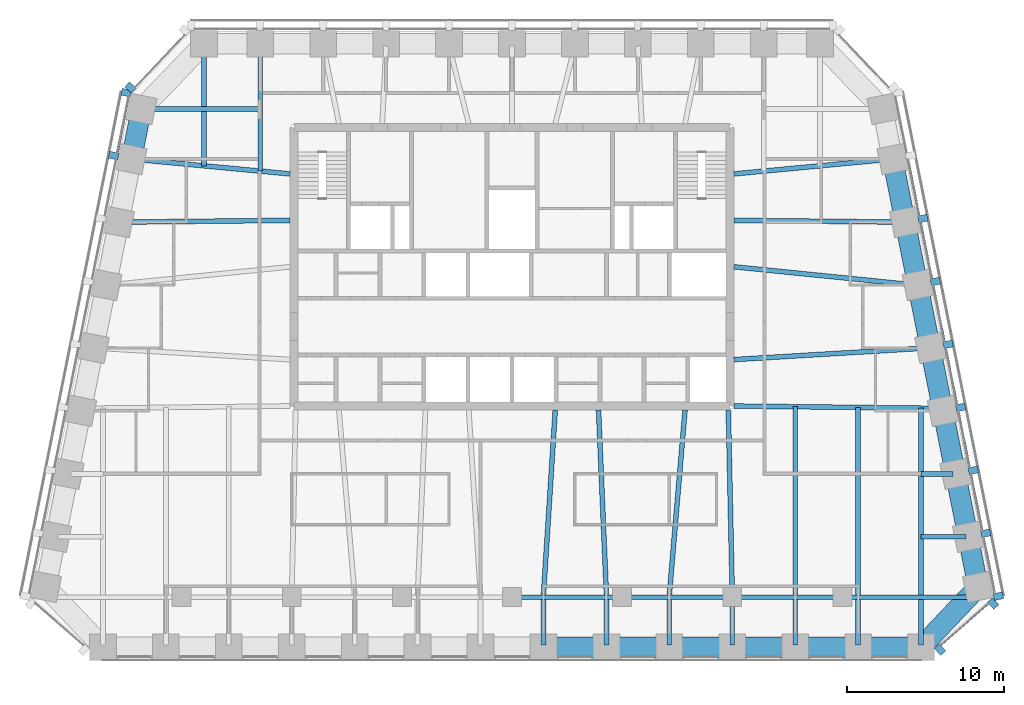
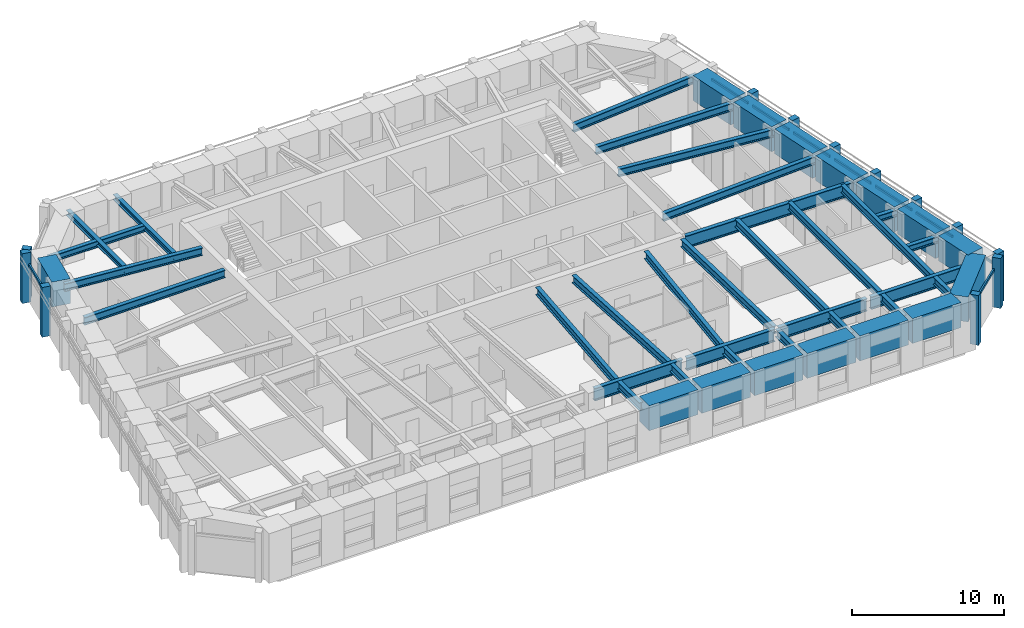
# One storey, part 2 of 11: 45 beams, 21 members, 4 elements without a shape of their own.
"""IFC4 building model written with IfcOpenShell, lengths in metres."""

from ifc_helpers import new_model, si_unit, direction, frame, origin, origin_2d, place, context, subcontext, project, spatial, rectangle, i_section, extrude, material, material_profile, profile_set, type_object, element, aggregate, save


model = new_model("IFC4")

# Units and contexts
model_context = context("Model", 3, precision=1e-05, world=origin(), true_north=direction((0.0, 1.0)))
body_context = subcontext(model_context, "Body", "Model", "MODEL_VIEW")
ifc_project = project(units=[si_unit("LENGTHUNIT", "METRE"), si_unit("AREAUNIT", "SQUARE_METRE"), si_unit("VOLUMEUNIT", "CUBIC_METRE"), si_unit("PLANEANGLEUNIT", "RADIAN"), si_unit("MASSUNIT", "GRAM", prefix="KILO")], contexts=[model_context])

# Site, building, storey
site_placement = place(None, origin())
site = spatial("IfcSite", under=ifc_project, at=site_placement, CompositionType="ELEMENT")
building_placement = place(site_placement, origin())
building = spatial("IfcBuilding", under=site, at=building_placement, Name="Isbrekke Arena Tower", CompositionType="ELEMENT")
storey_placement = place(building_placement, frame((0.0, 0.0, 276.0)))
storey = spatial("IfcBuildingStorey", under=building, at=storey_placement, Name="L64", CompositionType="ELEMENT", Elevation=276.0)

# Beams
ifc_material_1 = material(Name="Steel S355", Category="steel")
ifc_material_profile_1 = material_profile(ifc_material_1, i_section(OverallWidth=0.304931640625, OverallDepth=0.6201171875, WebThickness=0.02099609375, FlangeThickness=0.0400390625, FilletRadius=0.027099609375, at=origin_2d()), Name="HEM 600")
ifc_profile_set_1 = profile_set([ifc_material_profile_1], Name="Steel S355")
beam_type_1 = type_object("IfcBeamType", Name="B4 HEM 600", PredefinedType="BEAM", material=ifc_profile_set_1)
for number, where, z_axis, x_axis, name in (
    (1, (2.0, -9.02490234375, 3.5400390625), (0.0, 1.0, 0.0), (-1.0, 0.0, 0.0), "B4 beam S-S08 L64"),
    (2, (6.0, -9.02490234375, 3.5400390625), (0.0, 1.0, 0.0), (-1.0, 0.0, 0.0), "B4 beam S-S09 L64"),
    (3, (10.0, -9.02490234375, 3.5400390625), (0.0, 1.0, 0.0), (-1.0, 0.0, 0.0), "B4 beam S-S10 L64"),
):
    element("IfcBeam", number, at=place(storey_placement, frame(where, z_axis=z_axis, x_axis=x_axis)), inside=storey, type_object=beam_type_1, Name=name, PredefinedType="BEAM", context=body_context, shape_type="SweptSolid", body=[
        extrude(i_section(OverallWidth=0.304931640625, OverallDepth=0.6201171875, WebThickness=0.02099609375, FlangeThickness=0.0400390625, FilletRadius=0.027099609375, at=origin_2d()), origin(), (0.0, 0.0, 1.0), 2.8740234375),
    ])
beam_1_placement = place(storey_placement, frame((14.0, -9.02490234375, 3.5400390625), z_axis=(0.0, 1.0, 0.0), x_axis=(-1.0, 0.0, 0.0)))
element("IfcBeam", 4, at=beam_1_placement, inside=storey, type_object=beam_type_1, Name="B4 beam S-S11 L64", PredefinedType="BEAM", context=body_context, shape_type="SweptSolid", body=[
    extrude(i_section(OverallWidth=0.304931640625, OverallDepth=0.6201171875, WebThickness=0.02099609375, FlangeThickness=0.0400390625, FilletRadius=0.027099609375, at=origin_2d()), origin(), (0.0, 0.0, 1.0), 2.875),
])
for number, where, z_axis, x_axis, name in (
    (5, (18.0, -9.02490234375, 3.5400390625), (0.0, 1.0, 0.0), (-1.0, 0.0, 0.0), "B4 beam S-S12 L64"),
    (6, (22.0, -9.02490234375, 3.5400390625), (0.0, 1.0, 0.0), (-1.0, 0.0, 0.0), "B4 beam S-S13 L64"),
    (7, (26.0, -9.02490234375, 3.5400390625), (0.0, 1.0, 0.0), (-1.0, 0.0, 0.0), "B4 beam S-S14 L64"),
):
    element("IfcBeam", number, at=place(storey_placement, frame(where, z_axis=z_axis, x_axis=x_axis)), inside=storey, type_object=beam_type_1, Name=name, PredefinedType="BEAM", context=body_context, shape_type="SweptSolid", body=[
        extrude(i_section(OverallWidth=0.304931640625, OverallDepth=0.6201171875, WebThickness=0.02099609375, FlangeThickness=0.0400390625, FilletRadius=0.027099609375, at=origin_2d()), origin(), (0.0, 0.0, 1.0), 2.8740234375),
    ])
beam_2_placement = place(storey_placement, frame((2.000732421875, -5.83935546875, 3.5400390625), z_axis=(0.063696196046, 0.997969335506, 0.0), x_axis=(-0.997969335506, 0.063696196046, 0.0)))
element("IfcBeam", 8, at=beam_2_placement, inside=storey, type_object=beam_type_1, Name="B4 beam C-M08 L64", PredefinedType="BEAM", context=body_context, shape_type="SweptSolid", body=[
    extrude(i_section(OverallWidth=0.304931640625, OverallDepth=0.6201171875, WebThickness=0.02099609375, FlangeThickness=0.0400390625, FilletRadius=0.027099609375, at=origin_2d()), origin(), (0.0, 0.0, 1.0), 11.76318359375),
])
beam_3_placement = place(storey_placement, frame((5.999755859375, -5.842529296875, 3.5400390625), z_axis=(-0.042521334166, 0.999095559064, 0.0), x_axis=(-0.999095559064, -0.042521334166, 0.0)))
element("IfcBeam", 9, at=beam_3_placement, inside=storey, type_object=beam_type_1, Name="B4 beam C-M09 L64", PredefinedType="BEAM", context=body_context, shape_type="SweptSolid", body=[
    extrude(i_section(OverallWidth=0.304931640625, OverallDepth=0.6201171875, WebThickness=0.02099609375, FlangeThickness=0.0400390625, FilletRadius=0.027099609375, at=origin_2d()), origin(), (0.0, 0.0, 1.0), 11.753173828125),
])
beam_4_placement = place(storey_placement, frame((10.0009765625, -5.836181640625, 3.5400390625), z_axis=(0.084817344046, 0.996396516528, 0.0), x_axis=(-0.996396516528, 0.084817344046, 0.0)))
element("IfcBeam", 10, at=beam_4_placement, inside=storey, type_object=beam_type_1, Name="B4 beam C-M10 L64", PredefinedType="BEAM", context=body_context, shape_type="SweptSolid", body=[
    extrude(i_section(OverallWidth=0.304931640625, OverallDepth=0.6201171875, WebThickness=0.02099609375, FlangeThickness=0.0400390625, FilletRadius=0.027099609375, at=origin_2d()), origin(), (0.0, 0.0, 1.0), 11.778564453125),
])
beam_5_placement = place(storey_placement, frame((14.0, -5.8466796875, 3.5400390625), z_axis=(-0.021277968258, 0.999773598405, 0.0), x_axis=(-0.999773598405, -0.021277968258, 0.0)))
element("IfcBeam", 11, at=beam_5_placement, inside=storey, type_object=beam_type_1, Name="B4 beam C-M11 L64", PredefinedType="BEAM", context=body_context, shape_type="SweptSolid", body=[
    extrude(i_section(OverallWidth=0.304931640625, OverallDepth=0.6201171875, WebThickness=0.02099609375, FlangeThickness=0.0400390625, FilletRadius=0.027099609375, at=origin_2d()), origin(), (0.0, 0.0, 1.0), 11.749267578125),
])
beam_6_placement = place(storey_placement, frame((18.0, -5.84912109375, 3.5400390625), z_axis=(0.0, 1.0, 0.0), x_axis=(-1.0, 0.0, 0.0)))
element("IfcBeam", 12, at=beam_6_placement, inside=storey, type_object=beam_type_1, Name="B4 beam C-M12 L64", PredefinedType="BEAM", context=body_context, shape_type="SweptSolid", body=[
    extrude(i_section(OverallWidth=0.304931640625, OverallDepth=0.6201171875, WebThickness=0.02099609375, FlangeThickness=0.0400390625, FilletRadius=0.027099609375, at=origin_2d()), origin(), (0.0, 0.0, 1.0), 11.955078125),
])
beam_7_placement = place(storey_placement, frame((22.0, -5.84912109375, 3.5400390625), z_axis=(0.0, 1.0, 0.0), x_axis=(-1.0, 0.0, 0.0)))
element("IfcBeam", 13, at=beam_7_placement, inside=storey, type_object=beam_type_1, Name="B4 beam C-M13 L64", PredefinedType="BEAM", context=body_context, shape_type="SweptSolid", body=[
    extrude(i_section(OverallWidth=0.304931640625, OverallDepth=0.6201171875, WebThickness=0.02099609375, FlangeThickness=0.0400390625, FilletRadius=0.027099609375, at=origin_2d()), origin(), (0.0, 0.0, 1.0), 11.909912109375),
])
beam_8_placement = place(storey_placement, frame((26.0, -5.84912109375, 3.5400390625), z_axis=(0.0, 1.0, 0.0), x_axis=(-1.0, 0.0, 0.0)))
element("IfcBeam", 14, at=beam_8_placement, inside=storey, type_object=beam_type_1, Name="B4 beam C-M14 L64", PredefinedType="BEAM", context=body_context, shape_type="SweptSolid", body=[
    extrude(i_section(OverallWidth=0.304931640625, OverallDepth=0.6201171875, WebThickness=0.02099609375, FlangeThickness=0.0400390625, FilletRadius=0.027099609375, at=origin_2d()), origin(), (0.0, 0.0, 1.0), 11.86474609375),
])
beam_9_placement = place(storey_placement, frame((26.431884765625, 9.837646484375, 3.5400390625), z_axis=(-0.998216240514, -0.059702070095, 0.0), x_axis=(0.059702070095, -0.998216240514, 0.0)))
element("IfcBeam", 15, at=beam_9_placement, inside=storey, type_object=beam_type_1, Name="B4 beam E-E05 L64", PredefinedType="BEAM", context=body_context, shape_type="SweptSolid", body=[
    extrude(i_section(OverallWidth=0.304931640625, OverallDepth=0.6201171875, WebThickness=0.02099609375, FlangeThickness=0.0400390625, FilletRadius=0.027099609375, at=origin_2d()), origin(), (0.0, 0.0, 1.0), 12.353759765625),
])
beam_10_placement = place(storey_placement, frame((25.625732421875, 13.83984375, 3.5400390625), z_axis=(-0.994972081505, 0.100152668587, 0.0), x_axis=(-0.100152668587, -0.994972081505, 0.0)))
element("IfcBeam", 16, at=beam_10_placement, inside=storey, type_object=beam_type_1, Name="B4 beam E-E06 L64", PredefinedType="BEAM", context=body_context, shape_type="SweptSolid", body=[
    extrude(i_section(OverallWidth=0.304931640625, OverallDepth=0.6201171875, WebThickness=0.02099609375, FlangeThickness=0.0400390625, FilletRadius=0.027099609375, at=origin_2d()), origin(), (0.0, 0.0, 1.0), 11.583984375),
])
beam_11_placement = place(storey_placement, frame((24.83935546875, 17.838134765625, 3.5400390625), z_axis=(-0.999945800258, 0.010411366203, 0.0), x_axis=(-0.010411366203, -0.999945800258, 0.0)))
element("IfcBeam", 17, at=beam_11_placement, inside=storey, type_object=beam_type_1, Name="B4 beam E-E07 L64", PredefinedType="BEAM", context=body_context, shape_type="SweptSolid", body=[
    extrude(i_section(OverallWidth=0.304931640625, OverallDepth=0.6201171875, WebThickness=0.02099609375, FlangeThickness=0.0400390625, FilletRadius=0.027099609375, at=origin_2d()), origin(), (0.0, 0.0, 1.0), 10.73974609375),
])
for number, where, z_axis, x_axis, name in (
    (18, (24.02685546875, 21.8369140625, 3.5400390625), (-0.995574576627, -0.093974796485, 0.0), (0.093974796485, -0.995574576627, 0.0), "B4 beam E-E08 L64"),
    (19, (-24.02685546875, 21.8369140625, 3.5400390625), (0.995574576627, -0.093974796485, 0.0), (0.093974796485, 0.995574576627, 0.0), "B4 beam E-W02 L64"),
):
    element("IfcBeam", number, at=place(storey_placement, frame(where, z_axis=z_axis, x_axis=x_axis)), inside=storey, type_object=beam_type_1, Name=name, PredefinedType="BEAM", context=body_context, shape_type="SweptSolid", body=[
        extrude(i_section(OverallWidth=0.304931640625, OverallDepth=0.6201171875, WebThickness=0.02099609375, FlangeThickness=0.0400390625, FilletRadius=0.027099609375, at=origin_2d()), origin(), (0.0, 0.0, 1.0), 9.970947265625),
    ])
beam_12_placement = place(storey_placement, frame((-24.83935546875, 17.838134765625, 3.5400390625), z_axis=(0.999945800258, 0.010411366203, 0.0), x_axis=(-0.010411366203, 0.999945800258, 0.0)))
element("IfcBeam", 20, at=beam_12_placement, inside=storey, type_object=beam_type_1, Name="B4 beam E-W03 L64", PredefinedType="BEAM", context=body_context, shape_type="SweptSolid", body=[
    extrude(i_section(OverallWidth=0.304931640625, OverallDepth=0.6201171875, WebThickness=0.02099609375, FlangeThickness=0.0400390625, FilletRadius=0.027099609375, at=origin_2d()), origin(), (0.0, 0.0, 1.0), 10.73974609375),
])
ifc_material_2 = material(Name="Steel S355", Category="steel")
ifc_material_profile_2 = material_profile(ifc_material_2, i_section(OverallWidth=0.305908203125, OverallDepth=0.52392578125, WebThickness=0.02099609375, FlangeThickness=0.0400390625, FilletRadius=0.027099609375, at=origin_2d()), Name="HEM 500")
ifc_profile_set_2 = profile_set([ifc_material_profile_2], Name="Steel S355")
beam_type_2 = type_object("IfcBeamType", Name="B5 HEM 500", PredefinedType="BEAM", material=ifc_profile_set_2)
beam_13_placement = place(storey_placement, frame((28.841064453125, -2.161865234375, 3.587890625), z_axis=(-1.0, 0.0, 0.0), x_axis=(0.0, -1.0, 0.0)))
element("IfcBeam", 21, at=beam_13_placement, inside=storey, type_object=beam_type_2, Name="B5 beam E-E02 L64", PredefinedType="BEAM", context=body_context, shape_type="SweptSolid", body=[
    extrude(i_section(OverallWidth=0.305908203125, OverallDepth=0.52392578125, WebThickness=0.02099609375, FlangeThickness=0.0400390625, FilletRadius=0.027099609375, at=origin_2d()), origin(), (0.0, 0.0, 1.0), 2.841064453125),
])
beam_14_placement = place(storey_placement, frame((28.041015625, 1.838134765625, 3.587890625), z_axis=(-1.0, 0.0, 0.0), x_axis=(0.0, -1.0, 0.0)))
element("IfcBeam", 22, at=beam_14_placement, inside=storey, type_object=beam_type_2, Name="B5 beam E-E03 L64", PredefinedType="BEAM", context=body_context, shape_type="SweptSolid", body=[
    extrude(i_section(OverallWidth=0.305908203125, OverallDepth=0.52392578125, WebThickness=0.02099609375, FlangeThickness=0.0400390625, FilletRadius=0.027099609375, at=origin_2d()), origin(), (0.0, 0.0, 1.0), 2.041015625),
])
beam_15_placement = place(storey_placement, frame((-23.40283203125, 25.029296875, 3.587890625), z_axis=(1.0, 0.0, 0.0), x_axis=(0.0, 1.0, 0.0)))
element("IfcBeam", 23, at=beam_15_placement, inside=storey, type_object=beam_type_2, Name="B5 beam E-W01 L64", PredefinedType="BEAM", context=body_context, shape_type="SweptSolid", body=[
    extrude(i_section(OverallWidth=0.305908203125, OverallDepth=0.52392578125, WebThickness=0.02099609375, FlangeThickness=0.0400390625, FilletRadius=0.027099609375, at=origin_2d()), origin(), (0.0, 0.0, 1.0), 7.40283203125),
])
ifc_material_3 = material(Name="Steel S355", Category="steel")
ifc_material_profile_3 = material_profile(ifc_material_3, i_section(OverallWidth=0.306884765625, OverallDepth=0.431884765625, WebThickness=0.02099609375, FlangeThickness=0.0400390625, FilletRadius=0.027099609375, at=origin_2d()), Name="HEM 400")
ifc_profile_set_3 = profile_set([ifc_material_profile_3], Name="Steel S355")
beam_type_3 = type_object("IfcBeamType", Name="B6 HEM 400", PredefinedType="BEAM", material=ifc_profile_set_3)
beam_16_placement = place(storey_placement, frame((-16.0, 29.02490234375, 3.634033203125), z_axis=(0.0, -1.0, 0.0), x_axis=(1.0, 0.0, 0.0)))
element("IfcBeam", 24, at=beam_16_placement, inside=storey, type_object=beam_type_3, Name="B6 beam N-N10 L64", PredefinedType="BEAM", context=body_context, shape_type="SweptSolid", body=[
    extrude(i_section(OverallWidth=0.306884765625, OverallDepth=0.431884765625, WebThickness=0.02099609375, FlangeThickness=0.0400390625, FilletRadius=0.027099609375, at=origin_2d()), origin(), (0.0, 0.0, 1.0), 7.945556640625),
])
beam_17_placement = place(storey_placement, frame((-19.574951171875, 29.02490234375, 3.634033203125), z_axis=(0.0, -1.0, 0.0), x_axis=(1.0, 0.0, 0.0)))
element("IfcBeam", 25, at=beam_17_placement, inside=storey, type_object=beam_type_3, Name="B6 beam N-N11 L64", PredefinedType="BEAM", context=body_context, shape_type="SweptSolid", body=[
    extrude(i_section(OverallWidth=0.306884765625, OverallDepth=0.431884765625, WebThickness=0.02099609375, FlangeThickness=0.0400390625, FilletRadius=0.027099609375, at=origin_2d()), origin(), (0.0, 0.0, 1.0), 7.608154296875),
])

# Curtain wall, members
ifc_material_4 = material(Name="Glazed aluminium curtain wall", Category="aluminium")
curtain_wall_type = type_object("IfcCurtainWallType", Name="CWT TOWER CURTAIN WALL TOP ZONE", PredefinedType="USERDEFINED", material=ifc_material_4)
curtain_wall_1_placement = place(storey_placement, origin())
curtain_wall_1 = element("IfcCurtainWall", 26, at=curtain_wall_1_placement, inside=storey, type_object=curtain_wall_type, Name="CWT curtain wall L64-SE", ObjectType="TOWER CURTAIN WALL TOP ZONE", PredefinedType="USERDEFINED")
ifc_material_5 = material(Name="Copper-clad aluminium mullion", Category="aluminium")
ifc_material_profile_4 = material_profile(ifc_material_5, rectangle(XDim=0.449951171875, YDim=0.60009765625, at=origin_2d()), Name="PIER 450X600")
ifc_profile_set_4 = profile_set([ifc_material_profile_4], Name="Copper-clad aluminium mullion")
member_type_1 = type_object("IfcMemberType", Name="CWT-M PIER MULLION 450 x 600", PredefinedType="MULLION", material=ifc_profile_set_4)
member_1_placement = place(storey_placement, frame((27.214111328125, -9.341796875, 0.0), z_axis=(0.0, 0.0, 1.0), x_axis=(0.754605522159, 0.65617871493, 0.0)))
member_1 = element("IfcMember", 27, at=member_1_placement, type_object=member_type_1, Name="CWT-M mullion 1", PredefinedType="MULLION", context=body_context, shape_type="SweptSolid", body=[
    extrude(rectangle(XDim=0.449951171875, YDim=0.60009765625, at=origin_2d()), origin(), (0.0, 0.0, 1.0), 4.0),
])
member_2_placement = place(storey_placement, frame((30.593505859375, -6.4033203125, 0.0), z_axis=(0.0, 0.0, 1.0), x_axis=(0.754605522159, 0.65617871493, 0.0)))
member_2 = element("IfcMember", 28, at=member_2_placement, type_object=member_type_1, Name="CWT-M mullion 2", PredefinedType="MULLION", context=body_context, shape_type="SweptSolid", body=[
    extrude(rectangle(XDim=0.449951171875, YDim=0.60009765625, at=origin_2d()), origin(), (0.0, 0.0, 1.0), 4.0),
])

curtain_wall_2_placement = place(storey_placement, origin())
curtain_wall_2 = element("IfcCurtainWall", 29, at=curtain_wall_2_placement, inside=storey, type_object=curtain_wall_type, Name="CWT curtain wall L64-E", ObjectType="TOWER CURTAIN WALL TOP ZONE", PredefinedType="USERDEFINED")
member_3_placement = place(storey_placement, frame((30.918701171875, -5.936279296875, 0.0), z_axis=(0.0, 0.0, 1.0), x_axis=(-0.196116135138, 0.980580675691, 0.0)))
member_3 = element("IfcMember", 30, at=member_3_placement, type_object=member_type_1, Name="CWT-M mullion 1", PredefinedType="MULLION", context=body_context, shape_type="SweptSolid", body=[
    extrude(rectangle(XDim=0.449951171875, YDim=0.60009765625, at=origin_2d()), origin(), (0.0, 0.0, 1.0), 4.0),
])
member_4_placement = place(storey_placement, frame((30.11865234375, -1.936279296875, 0.0), z_axis=(0.0, 0.0, 1.0), x_axis=(-0.196116135138, 0.980580675691, 0.0)))
member_4 = element("IfcMember", 31, at=member_4_placement, type_object=member_type_1, Name="CWT-M mullion 2", PredefinedType="MULLION", context=body_context, shape_type="SweptSolid", body=[
    extrude(rectangle(XDim=0.449951171875, YDim=0.60009765625, at=origin_2d()), origin(), (0.0, 0.0, 1.0), 4.0),
])
member_5_placement = place(storey_placement, frame((29.318603515625, 2.063720703125, 0.0), z_axis=(0.0, 0.0, 1.0), x_axis=(-0.196116135138, 0.980580675691, 0.0)))
member_5 = element("IfcMember", 32, at=member_5_placement, type_object=member_type_1, Name="CWT-M mullion 3", PredefinedType="MULLION", context=body_context, shape_type="SweptSolid", body=[
    extrude(rectangle(XDim=0.449951171875, YDim=0.60009765625, at=origin_2d()), origin(), (0.0, 0.0, 1.0), 4.0),
])
member_6_placement = place(storey_placement, frame((28.518798828125, 6.063720703125, 0.0), z_axis=(0.0, 0.0, 1.0), x_axis=(-0.196116135138, 0.980580675691, 0.0)))
member_6 = element("IfcMember", 33, at=member_6_placement, type_object=member_type_1, Name="CWT-M mullion 4", PredefinedType="MULLION", context=body_context, shape_type="SweptSolid", body=[
    extrude(rectangle(XDim=0.449951171875, YDim=0.60009765625, at=origin_2d()), origin(), (0.0, 0.0, 1.0), 4.0),
])
member_7_placement = place(storey_placement, frame((27.71875, 10.063720703125, 0.0), z_axis=(0.0, 0.0, 1.0), x_axis=(-0.196116135138, 0.980580675691, 0.0)))
member_7 = element("IfcMember", 34, at=member_7_placement, type_object=member_type_1, Name="CWT-M mullion 5", PredefinedType="MULLION", context=body_context, shape_type="SweptSolid", body=[
    extrude(rectangle(XDim=0.449951171875, YDim=0.60009765625, at=origin_2d()), origin(), (0.0, 0.0, 1.0), 4.0),
])
member_8_placement = place(storey_placement, frame((26.918701171875, 14.063720703125, 0.0), z_axis=(0.0, 0.0, 1.0), x_axis=(-0.196116135138, 0.980580675691, 0.0)))
member_8 = element("IfcMember", 35, at=member_8_placement, type_object=member_type_1, Name="CWT-M mullion 6", PredefinedType="MULLION", context=body_context, shape_type="SweptSolid", body=[
    extrude(rectangle(XDim=0.449951171875, YDim=0.60009765625, at=origin_2d()), origin(), (0.0, 0.0, 1.0), 4.0),
])
member_9_placement = place(storey_placement, frame((26.11865234375, 18.063720703125, 0.0), z_axis=(0.0, 0.0, 1.0), x_axis=(-0.196116135138, 0.980580675691, 0.0)))
member_9 = element("IfcMember", 36, at=member_9_placement, type_object=member_type_1, Name="CWT-M mullion 7", PredefinedType="MULLION", context=body_context, shape_type="SweptSolid", body=[
    extrude(rectangle(XDim=0.449951171875, YDim=0.60009765625, at=origin_2d()), origin(), (0.0, 0.0, 1.0), 4.0),
])

# Curtain wall, member
curtain_wall_3_placement = place(storey_placement, origin())
curtain_wall_3 = element("IfcCurtainWall", 37, at=curtain_wall_3_placement, inside=storey, type_object=curtain_wall_type, Name="CWT curtain wall L64-NW", ObjectType="TOWER CURTAIN WALL TOP ZONE", PredefinedType="USERDEFINED")
member_10_placement = place(storey_placement, frame((-24.243896484375, 26.389404296875, 0.0), z_axis=(0.0, 0.0, 1.0), x_axis=(-0.68874946192, -0.72499943359, 0.0)))
member_10 = element("IfcMember", 38, at=member_10_placement, type_object=member_type_1, Name="CWT-M mullion 2", PredefinedType="MULLION", context=body_context, shape_type="SweptSolid", body=[
    extrude(rectangle(XDim=0.449951171875, YDim=0.60009765625, at=origin_2d()), origin(), (0.0, 0.0, 1.0), 4.0),
])
aggregate(curtain_wall_3, [member_10])

# Curtain wall, members
curtain_wall_4_placement = place(storey_placement, origin())
curtain_wall_4 = element("IfcCurtainWall", 39, at=curtain_wall_4_placement, inside=storey, type_object=curtain_wall_type, Name="CWT curtain wall L64-W", ObjectType="TOWER CURTAIN WALL TOP ZONE", PredefinedType="USERDEFINED")
member_11_placement = place(storey_placement, frame((-24.518798828125, 26.063720703125, 0.0), z_axis=(0.0, 0.0, 1.0), x_axis=(-0.196116135138, -0.980580675691, 0.0)))
member_11 = element("IfcMember", 40, at=member_11_placement, type_object=member_type_1, Name="CWT-M mullion 1", PredefinedType="MULLION", context=body_context, shape_type="SweptSolid", body=[
    extrude(rectangle(XDim=0.449951171875, YDim=0.60009765625, at=origin_2d()), origin(), (0.0, 0.0, 1.0), 4.0),
])
member_12_placement = place(storey_placement, frame((-25.318603515625, 22.063720703125, 0.0), z_axis=(0.0, 0.0, 1.0), x_axis=(-0.196116135138, -0.980580675691, 0.0)))
member_12 = element("IfcMember", 41, at=member_12_placement, type_object=member_type_1, Name="CWT-M mullion 2", PredefinedType="MULLION", context=body_context, shape_type="SweptSolid", body=[
    extrude(rectangle(XDim=0.449951171875, YDim=0.60009765625, at=origin_2d()), origin(), (0.0, 0.0, 1.0), 4.0),
])

# Member
ifc_material_6 = material(Name="Aluminium transom", Category="aluminium")
ifc_material_profile_5 = material_profile(ifc_material_6, rectangle(XDim=0.1201171875, YDim=0.199951171875, at=origin_2d()), Name="TRANSOM 120X200")
ifc_profile_set_5 = profile_set([ifc_material_profile_5], Name="Aluminium transom")
member_type_2 = type_object("IfcMemberType", Name="CWT-T TRANSOM 120 x 200", PredefinedType="USERDEFINED", material=ifc_profile_set_5)
member_13_placement = place(storey_placement, frame((27.252685546875, -9.043212890625, 3.0), z_axis=(0.754604217406, 0.656180215393, 0.0), x_axis=(-0.656180215393, 0.754604217406, 0.0)))
member_13 = element("IfcMember", 42, at=member_13_placement, type_object=member_type_2, Name="CWT-T transom 1", ObjectType="TRANSOM", PredefinedType="USERDEFINED", context=body_context, shape_type="SweptSolid", body=[
    extrude(rectangle(XDim=0.1201171875, YDim=0.199951171875, at=origin_2d()), origin(), (0.0, 0.0, 1.0), 4.0283203125),
])

aggregate(curtain_wall_1, [member_1, member_2, member_13])

member_14_placement = place(storey_placement, frame((30.678466796875, -5.7548828125, 3.0), z_axis=(-0.196090262229, 0.980585849918, 0.0), x_axis=(-0.980585849918, -0.196090262229, 0.0)))
member_14 = element("IfcMember", 43, at=member_14_placement, type_object=member_type_2, Name="CWT-T transom 1", ObjectType="TRANSOM", PredefinedType="USERDEFINED", context=body_context, shape_type="SweptSolid", body=[
    extrude(rectangle(XDim=0.1201171875, YDim=0.199951171875, at=origin_2d()), origin(), (0.0, 0.0, 1.0), 3.62939453125),
])

member_15_placement = place(storey_placement, frame((29.87841796875, -1.7548828125, 3.0), z_axis=(-0.196090262229, 0.980585849918, 0.0), x_axis=(-0.980585849918, -0.196090262229, 0.0)))
member_15 = element("IfcMember", 44, at=member_15_placement, type_object=member_type_2, Name="CWT-T transom 2", ObjectType="TRANSOM", PredefinedType="USERDEFINED", context=body_context, shape_type="SweptSolid", body=[
    extrude(rectangle(XDim=0.1201171875, YDim=0.199951171875, at=origin_2d()), origin(), (0.0, 0.0, 1.0), 3.62939453125),
])

member_16_placement = place(storey_placement, frame((29.078369140625, 2.2451171875, 3.0), z_axis=(-0.196090262229, 0.980585849918, 0.0), x_axis=(-0.980585849918, -0.196090262229, 0.0)))
member_16 = element("IfcMember", 45, at=member_16_placement, type_object=member_type_2, Name="CWT-T transom 3", ObjectType="TRANSOM", PredefinedType="USERDEFINED", context=body_context, shape_type="SweptSolid", body=[
    extrude(rectangle(XDim=0.1201171875, YDim=0.199951171875, at=origin_2d()), origin(), (0.0, 0.0, 1.0), 3.62939453125),
])

member_17_placement = place(storey_placement, frame((28.278564453125, 6.2451171875, 3.0), z_axis=(-0.196154943734, 0.980572913173, 0.0), x_axis=(-0.980572913173, -0.196154943734, 0.0)))
member_17 = element("IfcMember", 46, at=member_17_placement, type_object=member_type_2, Name="CWT-T transom 4", ObjectType="TRANSOM", PredefinedType="USERDEFINED", context=body_context, shape_type="SweptSolid", body=[
    extrude(rectangle(XDim=0.1201171875, YDim=0.199951171875, at=origin_2d()), origin(), (0.0, 0.0, 1.0), 3.62939453125),
])

member_18_placement = place(storey_placement, frame((27.478515625, 10.2451171875, 3.0), z_axis=(-0.196154943734, 0.980572913173, 0.0), x_axis=(-0.980572913173, -0.196154943734, 0.0)))
member_18 = element("IfcMember", 47, at=member_18_placement, type_object=member_type_2, Name="CWT-T transom 5", ObjectType="TRANSOM", PredefinedType="USERDEFINED", context=body_context, shape_type="SweptSolid", body=[
    extrude(rectangle(XDim=0.1201171875, YDim=0.199951171875, at=origin_2d()), origin(), (0.0, 0.0, 1.0), 3.62939453125),
])

member_19_placement = place(storey_placement, frame((26.678466796875, 14.2451171875, 3.0), z_axis=(-0.196090262229, 0.980585849918, 0.0), x_axis=(-0.980585849918, -0.196090262229, 0.0)))
member_19 = element("IfcMember", 48, at=member_19_placement, type_object=member_type_2, Name="CWT-T transom 6", ObjectType="TRANSOM", PredefinedType="USERDEFINED", context=body_context, shape_type="SweptSolid", body=[
    extrude(rectangle(XDim=0.1201171875, YDim=0.199951171875, at=origin_2d()), origin(), (0.0, 0.0, 1.0), 3.62939453125),
])

member_20_placement = place(storey_placement, frame((25.87841796875, 18.2451171875, 3.0), z_axis=(-0.196090262229, 0.980585849918, 0.0), x_axis=(-0.980585849918, -0.196090262229, 0.0)))
member_20 = element("IfcMember", 49, at=member_20_placement, type_object=member_type_2, Name="CWT-T transom 7", ObjectType="TRANSOM", PredefinedType="USERDEFINED", context=body_context, shape_type="SweptSolid", body=[
    extrude(rectangle(XDim=0.1201171875, YDim=0.199951171875, at=origin_2d()), origin(), (0.0, 0.0, 1.0), 3.62939453125),
])

aggregate(curtain_wall_2, [member_3, member_4, member_5, member_6, member_7, member_8, member_9, member_14, member_15, member_16, member_17, member_18, member_19, member_20])

member_21_placement = place(storey_placement, frame((-24.36669921875, 25.803955078125, 3.0), z_axis=(-0.196090262229, -0.980585849918, 0.0), x_axis=(0.980585849918, -0.196090262229, 0.0)))
member_21 = element("IfcMember", 50, at=member_21_placement, type_object=member_type_2, Name="CWT-T transom 1", ObjectType="TRANSOM", PredefinedType="USERDEFINED", context=body_context, shape_type="SweptSolid", body=[
    extrude(rectangle(XDim=0.1201171875, YDim=0.199951171875, at=origin_2d()), origin(), (0.0, 0.0, 1.0), 3.62939453125),
])

aggregate(curtain_wall_4, [member_11, member_12, member_21])

# Beams
ifc_material_7 = material(Name="Steel S355", Category="steel")
ifc_material_profile_6 = material_profile(ifc_material_7, i_section(OverallWidth=0.302001953125, OverallDepth=1.008056640625, WebThickness=0.02099609375, FlangeThickness=0.0400390625, FilletRadius=0.030029296875, at=origin_2d()), Name="HEM 1000")
ifc_profile_set_6 = profile_set([ifc_material_profile_6], Name="Steel S355")
beam_type_4 = type_object("IfcBeamType", Name="G1 HEM 1000", PredefinedType="BEAM", material=ifc_profile_set_6)
for number, where, z_axis, x_axis, name in (
    (51, (0.14990234375, -6.0, 3.345947265625), (1.0, 0.0, 0.0), (0.0, 1.0, 0.0), "G1 beam G1-05 L64"),
    (52, (7.14990234375, -6.0, 3.345947265625), (1.0, 0.0, 0.0), (0.0, 1.0, 0.0), "G1 beam G1-06 L64"),
    (53, (14.14990234375, -6.0, 3.345947265625), (1.0, 0.0, 0.0), (0.0, 1.0, 0.0), "G1 beam G1-07 L64"),
):
    element("IfcBeam", number, at=place(storey_placement, frame(where, z_axis=z_axis, x_axis=x_axis)), inside=storey, type_object=beam_type_4, Name=name, PredefinedType="BEAM", context=body_context, shape_type="SweptSolid", body=[
        extrude(i_section(OverallWidth=0.302001953125, OverallDepth=1.008056640625, WebThickness=0.02099609375, FlangeThickness=0.0400390625, FilletRadius=0.030029296875, at=origin_2d()), origin(), (0.0, 0.0, 1.0), 6.7001953125),
    ])
beam_18_placement = place(storey_placement, frame((21.14990234375, -6.0, 3.345947265625), z_axis=(1.0, 0.0, 0.0), x_axis=(0.0, 1.0, 0.0)))
element("IfcBeam", 54, at=beam_18_placement, inside=storey, type_object=beam_type_4, Name="G1 beam G1-08 L64", PredefinedType="BEAM", context=body_context, shape_type="SweptSolid", body=[
    extrude(i_section(OverallWidth=0.302001953125, OverallDepth=1.008056640625, WebThickness=0.02099609375, FlangeThickness=0.0400390625, FilletRadius=0.030029296875, at=origin_2d()), origin(), (0.0, 0.0, 1.0), 8.479248046875),
])
ifc_material_8 = material(Name="Steel S355", Category="steel")
ifc_material_profile_7 = material_profile(ifc_material_8, i_section(OverallWidth=0.302001953125, OverallDepth=1.008056640625, WebThickness=0.02099609375, FlangeThickness=0.0400390625, FilletRadius=0.030029296875, at=origin_2d()), Name="HEM 1000")
ifc_profile_set_7 = profile_set([ifc_material_profile_7], Name="Steel S355")
beam_type_5 = type_object("IfcBeamType", Name="G2 HEM 1000", PredefinedType="BEAM", material=ifc_profile_set_7)
beam_19_placement = place(storey_placement, frame((14.10009765625, 6.14990234375, 3.345947265625), z_axis=(0.999936387749, -0.011279204565, 0.0), x_axis=(0.011279204565, 0.999936387749, 0.0)))
element("IfcBeam", 55, at=beam_19_placement, inside=storey, type_object=beam_type_5, Name="G2 beam G2-E L64", PredefinedType="BEAM", context=body_context, shape_type="SweptSolid", body=[
    extrude(i_section(OverallWidth=0.302001953125, OverallDepth=1.008056640625, WebThickness=0.02099609375, FlangeThickness=0.0400390625, FilletRadius=0.030029296875, at=origin_2d()), origin(), (0.0, 0.0, 1.0), 13.2900390625),
])
ifc_material_9 = material(Name="Concrete B55 (C55/67)", Category="concrete")
ifc_material_profile_8 = material_profile(ifc_material_9, rectangle(XDim=1.300048828125, YDim=2.0, at=origin_2d()), Name="RC 1300x2000")
ifc_profile_set_8 = profile_set([ifc_material_profile_8], Name="Concrete B55 (C55/67)")
beam_type_6 = type_object("IfcBeamType", Name="SB4 RC 1300 x 2000", PredefinedType="SPANDREL", material=ifc_profile_set_8)
for number, where, z_axis, x_axis, name in (
    (56, (2.14990234375, -9.175048828125, 3.0), (1.0, 0.0, 0.0), (0.0, 1.0, 0.0), "SB4 spandrel S08-S09 L64"),
    (57, (6.14990234375, -9.175048828125, 3.0), (1.0, 0.0, 0.0), (0.0, 1.0, 0.0), "SB4 spandrel S09-S10 L64"),
    (58, (10.14990234375, -9.175048828125, 3.0), (1.0, 0.0, 0.0), (0.0, 1.0, 0.0), "SB4 spandrel S10-S11 L64"),
    (59, (14.14990234375, -9.175048828125, 3.0), (1.0, 0.0, 0.0), (0.0, 1.0, 0.0), "SB4 spandrel S11-S12 L64"),
    (60, (18.14990234375, -9.175048828125, 3.0), (1.0, 0.0, 0.0), (0.0, 1.0, 0.0), "SB4 spandrel S12-S13 L64"),
    (61, (22.14990234375, -9.175048828125, 3.0), (1.0, 0.0, 0.0), (0.0, 1.0, 0.0), "SB4 spandrel S13-S14 L64"),
):
    element("IfcBeam", number, at=place(storey_placement, frame(where, z_axis=z_axis, x_axis=x_axis)), inside=storey, type_object=beam_type_6, Name=name, PredefinedType="SPANDREL", context=body_context, shape_type="SweptSolid", body=[
        extrude(rectangle(XDim=1.300048828125, YDim=2.0, at=origin_2d()), origin(), (0.0, 0.0, 1.0), 3.7001953125),
    ])
beam_20_placement = place(storey_placement, frame((26.103271484375, -9.066162109375, 3.0), z_axis=(0.688573884881, 0.725166191339, 0.0), x_axis=(-0.725166191339, 0.688573884881, 0.0)))
element("IfcBeam", 62, at=beam_20_placement, inside=storey, type_object=beam_type_6, Name="SB4 spandrel S14-E01 L64", PredefinedType="SPANDREL", context=body_context, shape_type="SweptSolid", body=[
    extrude(rectangle(XDim=1.300048828125, YDim=2.0, at=origin_2d()), origin(), (0.0, 0.0, 1.0), 4.970458984375),
])
beam_21_placement = place(storey_placement, frame((29.599853515625, -5.205810546875, 3.0), z_axis=(-0.196100243168, 0.980583853951, 0.0), x_axis=(-0.980583853951, -0.196100243168, 0.0)))
element("IfcBeam", 63, at=beam_21_placement, inside=storey, type_object=beam_type_6, Name="SB4 spandrel E01-E02 L64", PredefinedType="SPANDREL", context=body_context, shape_type="SweptSolid", body=[
    extrude(rectangle(XDim=1.300048828125, YDim=2.0, at=origin_2d()), origin(), (0.0, 0.0, 1.0), 2.954345703125),
])
for number, where, z_axis, x_axis, name in (
    (64, (28.961669921875, -2.0146484375, 3.0), (-0.196128558387, 0.980578190959, 0.0), (-0.980578190959, -0.196128558387, 0.0), "SB4 spandrel E02-E03 L64"),
    (65, (28.16162109375, 1.9853515625, 3.0), (-0.196128558387, 0.980578190959, 0.0), (-0.980578190959, -0.196128558387, 0.0), "SB4 spandrel E03-E04 L64"),
    (66, (27.361572265625, 5.9853515625, 3.0), (-0.196128558387, 0.980578190959, 0.0), (-0.980578190959, -0.196128558387, 0.0), "SB4 spandrel E04-E05 L64"),
):
    element("IfcBeam", number, at=place(storey_placement, frame(where, z_axis=z_axis, x_axis=x_axis)), inside=storey, type_object=beam_type_6, Name=name, PredefinedType="SPANDREL", context=body_context, shape_type="SweptSolid", body=[
        extrude(rectangle(XDim=1.300048828125, YDim=2.0, at=origin_2d()), origin(), (0.0, 0.0, 1.0), 3.779296875),
    ])
beam_22_placement = place(storey_placement, frame((26.5615234375, 9.9853515625, 3.0), z_axis=(-0.1960664412, 0.980590613169, 0.0), x_axis=(-0.980590613169, -0.1960664412, 0.0)))
element("IfcBeam", 67, at=beam_22_placement, inside=storey, type_object=beam_type_6, Name="SB4 spandrel E05-E06 L64", PredefinedType="SPANDREL", context=body_context, shape_type="SweptSolid", body=[
    extrude(rectangle(XDim=1.300048828125, YDim=2.0, at=origin_2d()), origin(), (0.0, 0.0, 1.0), 3.779052734375),
])
for number, where, z_axis, x_axis, name in (
    (68, (25.76171875, 13.9853515625, 3.0), (-0.196128558387, 0.980578190959, 0.0), (-0.980578190959, -0.196128558387, 0.0), "SB4 spandrel E06-E07 L64"),
    (69, (24.961669921875, 17.9853515625, 3.0), (-0.196128558387, 0.980578190959, 0.0), (-0.980578190959, -0.196128558387, 0.0), "SB4 spandrel E07-E08 L64"),
):
    element("IfcBeam", number, at=place(storey_placement, frame(where, z_axis=z_axis, x_axis=x_axis)), inside=storey, type_object=beam_type_6, Name=name, PredefinedType="SPANDREL", context=body_context, shape_type="SweptSolid", body=[
        extrude(rectangle(XDim=1.300048828125, YDim=2.0, at=origin_2d()), origin(), (0.0, 0.0, 1.0), 3.779296875),
    ])
beam_23_placement = place(storey_placement, frame((-23.582275390625, 24.882080078125, 3.0), z_axis=(-0.196116135138, -0.980580675691, 0.0), x_axis=(0.980580675691, -0.196116135138, 0.0)))
element("IfcBeam", 70, at=beam_23_placement, inside=storey, type_object=beam_type_6, Name="SB4 spandrel W01-W02 L64", PredefinedType="SPANDREL", context=body_context, shape_type="SweptSolid", body=[
    extrude(rectangle(XDim=1.300048828125, YDim=2.0, at=origin_2d()), origin(), (0.0, 0.0, 1.0), 2.9541015625),
])

save(model, "model.ifc")
